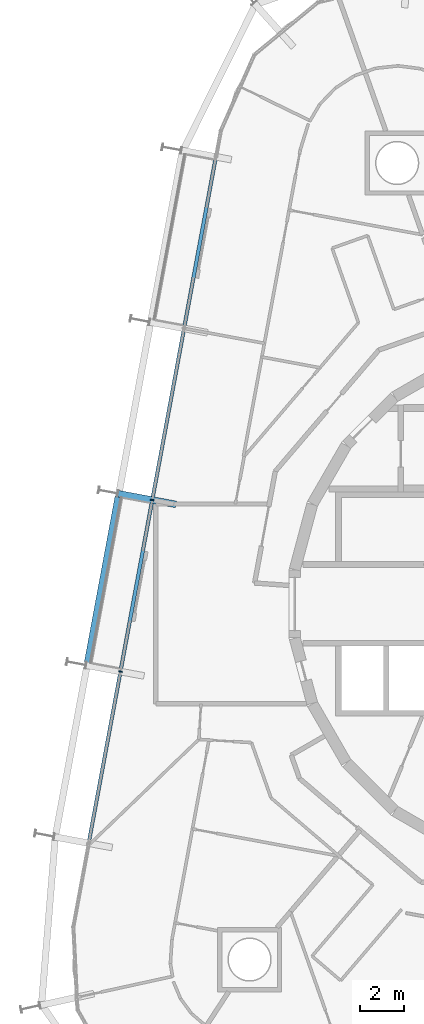
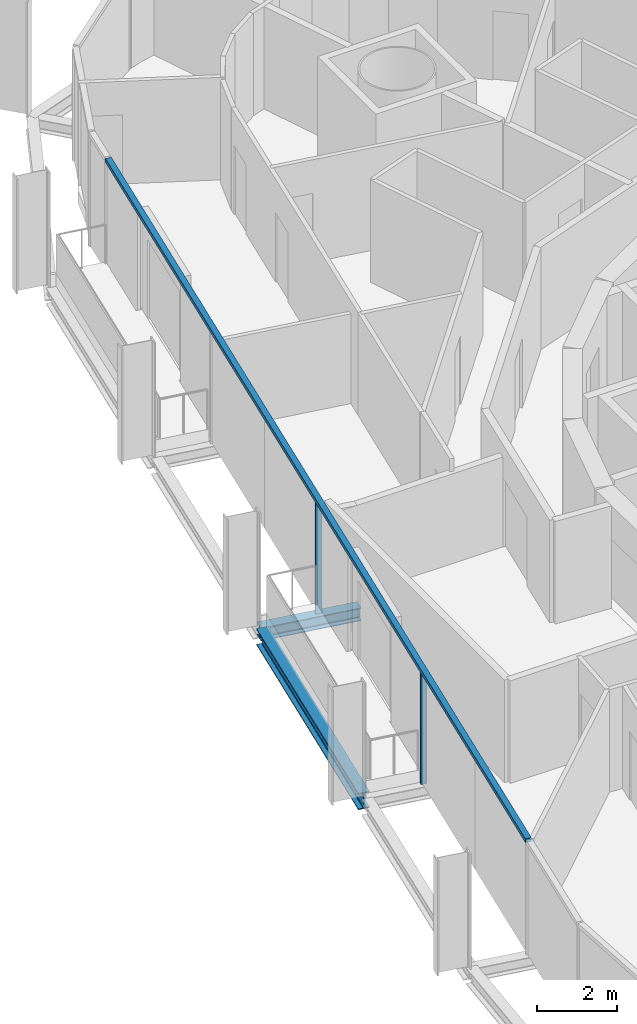
# One storey, part 4 of 17: 3 members, 2 beams, 1 element without a shape of its own.
"""IFC4 building model written with IfcOpenShell, lengths in metres."""

from ifc_helpers import new_model, si_unit, direction, frame, origin, origin_2d, place, context, subcontext, project, spatial, rectangle, i_section, extrude, material, layer, layer_set, material_profile, profile_set, type_object, element, aggregate, save


model = new_model("IFC4")

# Units and contexts
model_context = context("Model", 3, precision=1e-05, world=origin(), true_north=direction((0.0, 1.0)))
body_context = subcontext(model_context, "Body", "Model", "MODEL_VIEW")
ifc_project = project(units=[si_unit("LENGTHUNIT", "METRE"), si_unit("AREAUNIT", "SQUARE_METRE"), si_unit("VOLUMEUNIT", "CUBIC_METRE"), si_unit("PLANEANGLEUNIT", "RADIAN"), si_unit("MASSUNIT", "GRAM", prefix="KILO")], contexts=[model_context])

# Site, building, storey
site_placement = place(None, origin())
site = spatial("IfcSite", under=ifc_project, at=site_placement, CompositionType="ELEMENT")
building_placement = place(site_placement, origin())
building = spatial("IfcBuilding", under=site, at=building_placement, Name="Spindle Arch Residences", CompositionType="ELEMENT")
storey_placement = place(building_placement, frame((0.0, 0.0, 172.699951171875)))
storey = spatial("IfcBuildingStorey", under=building, at=storey_placement, Name="L43", CompositionType="ELEMENT", Elevation=172.699951171875)

# Curtain wall, members
ifc_material_1 = material(Name="Aluminium bronze unitised frame with tinted glass", Category="aluminium")
ifc_layer = layer(ifc_material_1, 0.159912109375)
ifc_layer_set = layer_set([ifc_layer], Name="CW-C typical residential unitised wall")
curtain_wall_type = type_object("IfcCurtainWallType", Name="CW-C typical residential unitised wall", PredefinedType="NOTDEFINED", material=ifc_layer_set)
curtain_wall_placement = place(storey_placement, origin())
curtain_wall = element("IfcCurtainWall", 1, at=curtain_wall_placement, inside=storey, type_object=curtain_wall_type, Name="CW-C L43 run 4", PredefinedType="NOTDEFINED")
ifc_material_2 = material(Name="Aluminium bronze anodised mullion", Category="aluminium")
ifc_material_profile_1 = material_profile(ifc_material_2, rectangle(XDim=0.159912109375, YDim=0.06005859375, at=origin_2d()), Name="MU 60x160")
ifc_profile_set_1 = profile_set([ifc_material_profile_1], Name="Aluminium bronze anodised mullion")
member_type_1 = type_object("IfcMemberType", Name="Bronze mullion 60x160", PredefinedType="MULLION", material=ifc_profile_set_1)
member_1_placement = place(storey_placement, frame((-18.0625, 4.679931640625, -0.3798828125), z_axis=(0.0, 0.0, 1.0), x_axis=(0.983254907564, -0.182235525492, 0.0)))
member_1 = element("IfcMember", 2, at=member_1_placement, type_object=member_type_1, Name="CW-C mullion 14", PredefinedType="MULLION", context=body_context, shape_type="SweptSolid", body=[
    extrude(rectangle(XDim=0.159912109375, YDim=0.06005859375, at=origin_2d()), origin(), (0.0, 0.0, 1.0), 3.3798828125),
])
member_2_placement = place(storey_placement, frame((-19.494873046875, -3.04833984375, -0.3798828125), z_axis=(0.0, 0.0, 1.0), x_axis=(0.983254907564, -0.182235525492, 0.0)))
member_2 = element("IfcMember", 3, at=member_2_placement, type_object=member_type_1, Name="CW-C mullion 15", PredefinedType="MULLION", context=body_context, shape_type="SweptSolid", body=[
    extrude(rectangle(XDim=0.159912109375, YDim=0.06005859375, at=origin_2d()), origin(), (0.0, 0.0, 1.0), 3.3798828125),
])
ifc_material_3 = material(Name="Aluminium bronze anodised transom", Category="aluminium")
ifc_material_profile_2 = material_profile(ifc_material_3, rectangle(XDim=0.159912109375, YDim=0.1201171875, at=origin_2d()), Name="TR 120x160")
ifc_profile_set_2 = profile_set([ifc_material_profile_2], Name="Aluminium bronze anodised transom")
member_type_2 = type_object("IfcMemberType", Name="Bronze transom 120x160", PredefinedType="USERDEFINED", material=ifc_profile_set_2)
member_3_placement = place(storey_placement, frame((-15.203125, 20.107421875, 3.06005859375), z_axis=(-0.182240536166, -0.983253978877, 0.0), x_axis=(0.983253978877, -0.182240536166, 0.0)))
member_3 = element("IfcMember", 4, at=member_3_placement, type_object=member_type_2, Name="CW-C transom 00", ObjectType="TRANSOM", PredefinedType="USERDEFINED", context=body_context, shape_type="SweptSolid", body=[
    extrude(rectangle(XDim=0.159912109375, YDim=0.1201171875, at=origin_2d()), origin(), (0.0, 0.0, 1.0), 31.380126953125),
])
aggregate(curtain_wall, [member_3, member_1, member_2])

# Beams
ifc_material_4 = material(Name="Steel S460ML, intumescent coating R 120", Category="steel")
ifc_material_profile_3 = material_profile(ifc_material_4, i_section(OverallWidth=0.300048828125, OverallDepth=0.5, WebThickness=0.014404296875, FlangeThickness=0.028076171875, FilletRadius=0.027099609375, at=origin_2d()), Name="HEB 500")
ifc_profile_set_3 = profile_set([ifc_material_profile_3], Name="Steel S460ML, intumescent coating R 120")
beam_type_1 = type_object("IfcBeamType", Name="Exoskeleton edge beam HEB 500", PredefinedType="BEAM", material=ifc_profile_set_3)
beam_1_placement = place(storey_placement, frame((-19.590576171875, 4.8310546875, -0.6298828125), z_axis=(-0.182234195466, -0.983255154069, 0.0), x_axis=(0.983255154069, -0.182234195466, 0.0)))
element("IfcBeam", 5, at=beam_1_placement, inside=storey, type_object=beam_type_1, Name="Exoskeleton edge beam 15", PredefinedType="BEAM", context=body_context, shape_type="SweptSolid", body=[
    extrude(i_section(OverallWidth=0.300048828125, OverallDepth=0.5, WebThickness=0.014404296875, FlangeThickness=0.028076171875, FilletRadius=0.027099609375, at=origin_2d()), origin(), (0.0, 0.0, 1.0), 7.60009765625),
])
ifc_material_5 = material(Name="Steel S460ML, intumescent coating R 120", Category="steel")
ifc_material_profile_4 = material_profile(ifc_material_5, i_section(OverallWidth=0.300048828125, OverallDepth=0.389892578125, WebThickness=0.010986328125, FlangeThickness=0.01904296875, FilletRadius=0.027099609375, at=origin_2d()), Name="HEA 400")
ifc_profile_set_4 = profile_set([ifc_material_profile_4], Name="Steel S460ML, intumescent coating R 120")
beam_type_2 = type_object("IfcBeamType", Name="Floor outrigger HEA 400", PredefinedType="BEAM", material=ifc_profile_set_4)
beam_2_placement = place(storey_placement, frame((-19.606201171875, 4.966064453125, -0.574951171875), z_axis=(0.98325694826, -0.182224514537, 0.0), x_axis=(0.182224514537, 0.98325694826, 0.0)))
element("IfcBeam", 6, at=beam_2_placement, inside=storey, type_object=beam_type_2, Name="Floor outrigger 15", PredefinedType="BEAM", context=body_context, shape_type="SweptSolid", body=[
    extrude(i_section(OverallWidth=0.300048828125, OverallDepth=0.389892578125, WebThickness=0.010986328125, FlangeThickness=0.01904296875, FilletRadius=0.027099609375, at=origin_2d()), origin(), (0.0, 0.0, 1.0), 2.650146484375),
])

save(model, "model.ifc")
